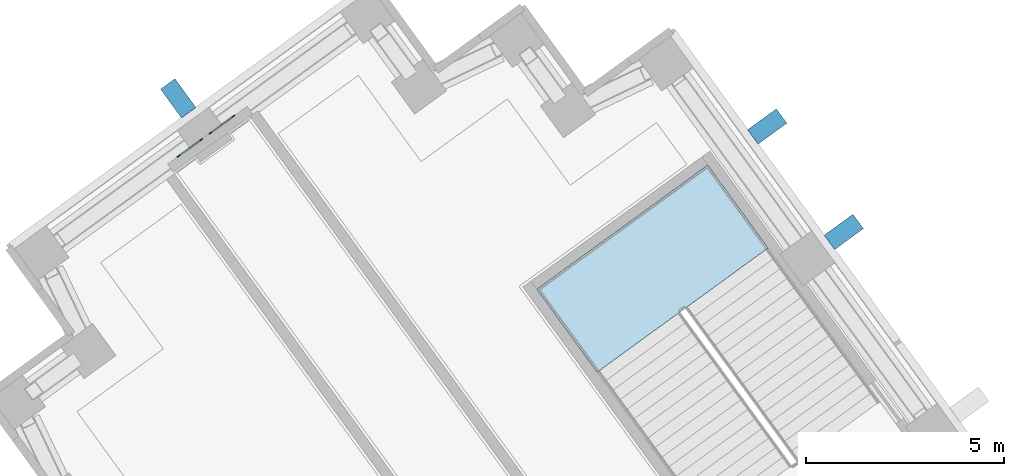
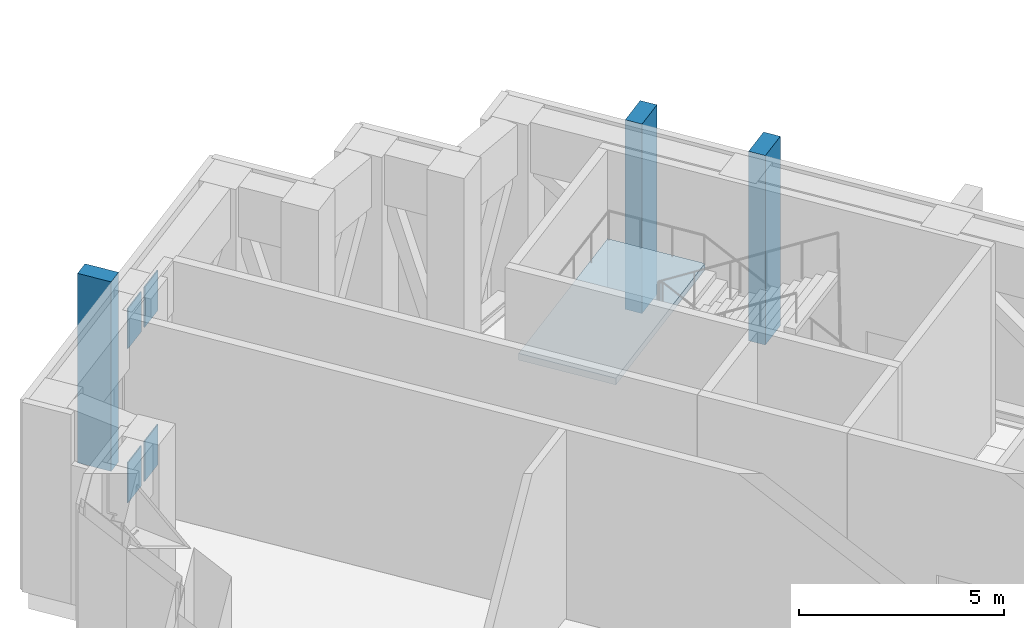
# One storey, part 5 of 18: 7 plates, 1 slab, 1 element without a shape of its own.
"""IFC4 building model written with IfcOpenShell, lengths in metres."""

from ifc_helpers import new_model, si_unit, direction, frame, origin, origin_2d, place, context, subcontext, project, spatial, polyline, rectangle, outline, extrude, material, layer, layer_set, type_object, element, aggregate, save


model = new_model("IFC4")

# Units and contexts
model_context = context("Model", 3, precision=1e-05, world=origin(), true_north=direction((0.0, 1.0)))
body_context = subcontext(model_context, "Body", "Model", "MODEL_VIEW")
ifc_project = project(units=[si_unit("LENGTHUNIT", "METRE"), si_unit("AREAUNIT", "SQUARE_METRE"), si_unit("VOLUMEUNIT", "CUBIC_METRE"), si_unit("PLANEANGLEUNIT", "RADIAN"), si_unit("MASSUNIT", "GRAM", prefix="KILO")], contexts=[model_context])

# Site, building, storey
site_placement = place(None, origin())
site = spatial("IfcSite", under=ifc_project, at=site_placement, CompositionType="ELEMENT")
building_placement = place(site_placement, origin())
building = spatial("IfcBuilding", under=site, at=building_placement, Name="Quipu Civic Tower", CompositionType="ELEMENT")
storey_placement = place(building_placement, frame((0.0, 0.0, 79.0)))
storey = spatial("IfcBuildingStorey", under=building, at=storey_placement, Name="L18", CompositionType="ELEMENT", Elevation=79.0)

# Plates
ifc_material_1 = material(Name="Steel ASTM A572 Grade 50 (fy 345 MPa)", Category="steel")
ifc_layer_1 = layer(ifc_material_1, 0.030029296875)
ifc_layer_set_1 = layer_set([ifc_layer_1], Name="Steel ASTM A572 Grade 50 (fy 345 MPa)")
plate_type_1 = type_object("IfcPlateType", Name="Cast in plate BC2", PredefinedType="SHEET", material=ifc_layer_set_1)
for number, where, z_axis, x_axis, name in (
    (1, (-48.66162109375, 40.2998046875, -0.29638671875), (0.0, 0.0, 1.0), (0.80902725304, 0.587771132193, 0.0), "Cast-in plate BC2 L18 014"),
    (2, (-49.470458984375, 39.7119140625, -0.29638671875), (0.0, 0.0, 1.0), (0.80902725304, 0.587771132193, 0.0), "Cast-in plate BC2 L18 017"),
):
    element("IfcPlate", number, at=place(storey_placement, frame(where, z_axis=z_axis, x_axis=x_axis)), inside=storey, type_object=plate_type_1, Name=name, PredefinedType="SHEET", context=body_context, shape_type="SweptSolid", body=[
        extrude(rectangle(XDim=0.800048828125, YDim=0.030029296875, at=origin_2d()), origin(), (0.0, 0.0, 1.0), 1.199951171875),
    ])
ifc_material_2 = material(Name="Steel ASTM A572 Grade 50 (fy 345 MPa)", Category="steel")
ifc_layer_2 = layer(ifc_material_2, 0.030029296875)
ifc_layer_set_2 = layer_set([ifc_layer_2], Name="Steel ASTM A572 Grade 50 (fy 345 MPa)")
plate_type_2 = type_object("IfcPlateType", Name="Cast in plate TC1", PredefinedType="SHEET", material=ifc_layer_set_2)
for number, where, z_axis, x_axis, name in (
    (3, (-48.66162109375, 40.2998046875, 4.2998046875), (0.0, 0.0, 1.0), (0.80902725304, 0.587771132193, 0.0), "Cast-in plate TC1 L18 013"),
    (4, (-49.470458984375, 39.7119140625, 4.2998046875), (0.0, 0.0, 1.0), (0.80902725304, 0.587771132193, 0.0), "Cast-in plate TC1 L18 016"),
):
    element("IfcPlate", number, at=place(storey_placement, frame(where, z_axis=z_axis, x_axis=x_axis)), inside=storey, type_object=plate_type_2, Name=name, PredefinedType="SHEET", context=body_context, shape_type="SweptSolid", body=[
        extrude(rectangle(XDim=0.800048828125, YDim=0.030029296875, at=origin_2d()), origin(), (0.0, 0.0, 1.0), 1.199951171875),
    ])
ifc_material_3 = material(Name="Precast concrete C40/50", Category="concrete")
plate_type_3 = type_object("IfcPlateType", Name="Precast fin F1", PredefinedType="SHEET", material=ifc_material_3)
for number, where, z_axis, x_axis, name in (
    (5, (-32.92333984375, 37.587158203125, 0.0), (0.0, 0.0, 1.0), (-0.587784944053, 0.809017218324, 0.0), "Precast fin F1 L18.1.6"),
    (6, (-34.861572265625, 40.2548828125, 0.0), (0.0, 0.0, 1.0), (-0.587784944053, 0.809017218324, 0.0), "Precast fin F1 L18.1.7"),
    (7, (-49.764404296875, 40.967041015625, 0.0), (0.0, 0.0, 1.0), (-0.809021318545, -0.587779300537, 0.0), "Precast fin F1 L18.6.1"),
):
    element("IfcPlate", number, at=place(storey_placement, frame(where, z_axis=z_axis, x_axis=x_axis)), inside=storey, type_object=plate_type_3, Name=name, PredefinedType="SHEET", context=body_context, shape_type="SweptSolid", body=[
        extrude(rectangle(XDim=0.449951171875, YDim=0.89990234375, at=origin_2d()), origin(), (0.0, 0.0, 1.0), 5.64990234375),
    ])

# Stair, slab
ifc_material_4 = material(Name="Concrete C40/50", Category="concrete")
stair_type = type_object("IfcStairType", Name="Half turn stair 2600", PredefinedType="HALF_TURN_STAIR", material=ifc_material_4)
stair_placement = place(storey_placement, origin())
stair = element("IfcStair", 8, at=stair_placement, inside=storey, type_object=stair_type, Name="Exit stair 6", PredefinedType="HALF_TURN_STAIR")
ifc_material_5 = material(Name="Concrete C40/50", Category="concrete")
ifc_layer_3 = layer(ifc_material_5, 0.199951171875)
ifc_layer_set_3 = layer_set([ifc_layer_3], Name="Concrete C40/50")
slab_type = type_object("IfcSlabType", Name="Stair landing 200", PredefinedType="LANDING", material=ifc_layer_set_3)
slab_placement = place(storey_placement, frame((0.0, 0.0, 2.800048828125)))
slab = element("IfcSlab", 9, at=slab_placement, type_object=slab_type, Name="ST-6 landing 1", PredefinedType="LANDING", context=body_context, shape_type="SweptSolid", body=[
    extrude(outline(polyline([(-34.837158203125, 37.179443359375), (-36.365478515625, 39.282958984375), (-40.69384765625, 36.138427734375), (-39.16552734375, 34.034912109375), (-34.837158203125, 37.179443359375)])), origin(), (0.0, 0.0, 1.0), 0.199951171875),
])
aggregate(stair, [slab])

save(model, "model.ifc")
